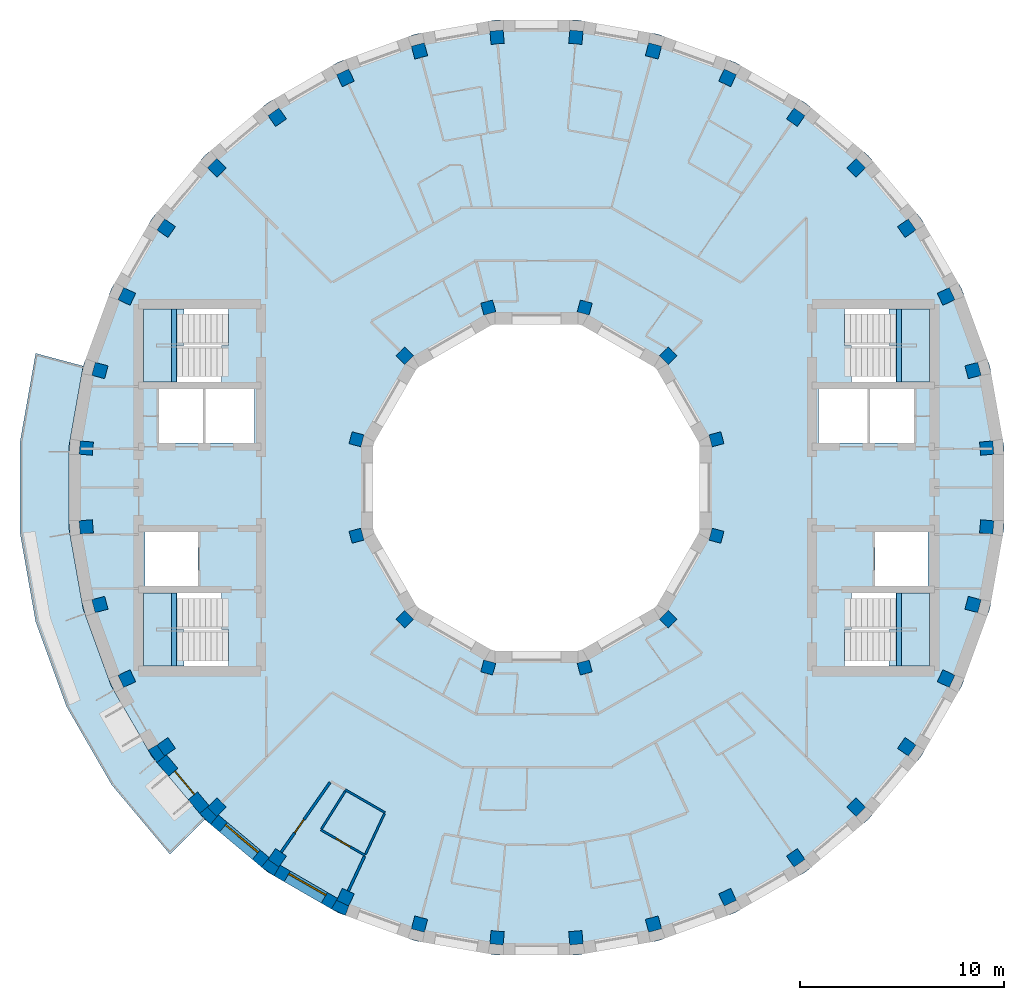
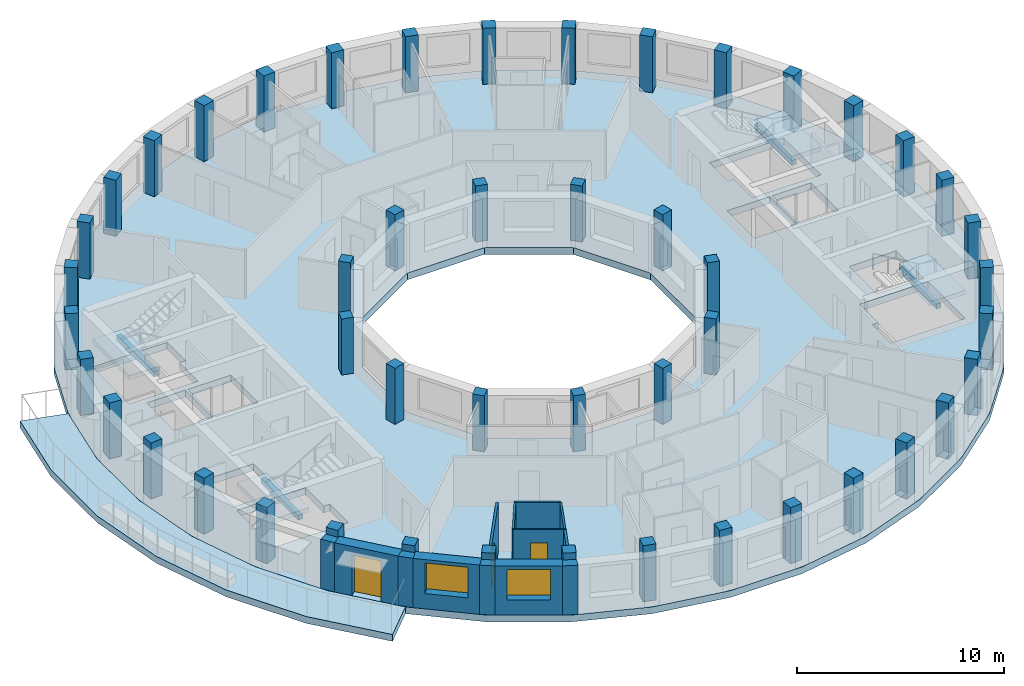
# One storey, part 1 of 10: 48 columns, 13 walls, 6 slabs, 4 beams, 3 doors, 2 windows, 5 openings, 4 elements without a shape of their own.
"""IFC4 building model written with IfcOpenShell, lengths in metres."""

from ifc_helpers import new_model, si_unit, direction, frame, frame_2d, origin, origin_2d, place, context, subcontext, project, spatial, polyline, rectangle, outline, extrude, material, layer, layer_set, material_profile, profile_set, type_object, element, fill, aggregate, save


model = new_model("IFC4")

# Units and contexts
model_context = context("Model", 3, precision=1e-05, world=origin(), true_north=direction((0.0, 1.0)))
body_context = subcontext(model_context, "Body", "Model", "MODEL_VIEW")
ifc_project = project(units=[si_unit("LENGTHUNIT", "METRE"), si_unit("AREAUNIT", "SQUARE_METRE"), si_unit("VOLUMEUNIT", "CUBIC_METRE"), si_unit("PLANEANGLEUNIT", "RADIAN"), si_unit("MASSUNIT", "GRAM", prefix="KILO")], contexts=[model_context])

# Site, building, storey
site_placement = place(None, origin())
site = spatial("IfcSite", under=ifc_project, at=site_placement, CompositionType="ELEMENT")
building_placement = place(site_placement, origin())
building = spatial("IfcBuilding", under=site, at=building_placement, Name="Saqina Gate Tower", CompositionType="ELEMENT")
storey_placement = place(building_placement, frame((0.0, 0.0, 252.800048828125)))
storey = spatial("IfcBuildingStorey", under=building, at=storey_placement, Name="L72", CompositionType="ELEMENT", Elevation=252.800048828125)

# Columns
ifc_material_1 = material(Name="Concrete C60/75", Category="concrete")
ifc_material_profile_1 = material_profile(ifc_material_1, rectangle(XDim=0.60009765625, YDim=0.60009765625, at=origin_2d()), Name="RC 600x600")
ifc_profile_set_1 = profile_set([ifc_material_profile_1], Name="Concrete C60/75")
column_type_1 = type_object("IfcColumnType", Name="STR-COL-IN-D", PredefinedType="COLUMN", material=ifc_profile_set_1)
for number, where, z_axis, x_axis, name in (
    (1, (8.821044921875, 2.363525390625, 0.0), (0.0, 0.0, 1.0), (0.965925826289, 0.258819045103, 0.0), "L72-ICL01"),
    (2, (6.45751953125, 6.45751953125, 0.0), (0.0, 0.0, 1.0), (0.707106781187, 0.707106781187, 0.0), "L72-ICL02"),
    (3, (2.363525390625, 8.821044921875, 0.0), (0.0, 0.0, 1.0), (0.258819045103, 0.965925826289, 0.0), "L72-ICL03"),
    (4, (-2.363525390625, 8.821044921875, 0.0), (0.0, 0.0, 1.0), (-0.258819045103, 0.965925826289, 0.0), "L72-ICL04"),
    (5, (-6.45751953125, 6.45751953125, 0.0), (0.0, 0.0, 1.0), (-0.707106781187, 0.707106781187, 0.0), "L72-ICL05"),
    (6, (-8.821044921875, 2.363525390625, 0.0), (0.0, 0.0, 1.0), (-0.965925826289, 0.258819045103, 0.0), "L72-ICL06"),
    (7, (-8.821044921875, -2.363525390625, 0.0), (0.0, 0.0, 1.0), (-0.965925826289, -0.258819045103, 0.0), "L72-ICL07"),
    (8, (-6.45751953125, -6.45751953125, 0.0), (0.0, 0.0, 1.0), (-0.707106781187, -0.707106781187, 0.0), "L72-ICL08"),
    (9, (-2.363525390625, -8.821044921875, 0.0), (0.0, 0.0, 1.0), (-0.258819045103, -0.965925826289, 0.0), "L72-ICL09"),
    (10, (2.363525390625, -8.821044921875, 0.0), (0.0, 0.0, 1.0), (0.258819045103, -0.965925826289, 0.0), "L72-ICL10"),
    (11, (6.45751953125, -6.45751953125, 0.0), (0.0, 0.0, 1.0), (0.707106781187, -0.707106781187, 0.0), "L72-ICL11"),
    (12, (8.821044921875, -2.363525390625, 0.0), (0.0, 0.0, 1.0), (0.965925826289, -0.258819045103, 0.0), "L72-ICL12"),
):
    element("IfcColumn", number, at=place(storey_placement, frame(where, z_axis=z_axis, x_axis=x_axis)), inside=storey, type_object=column_type_1, Name=name, PredefinedType="COLUMN", context=body_context, shape_type="SweptSolid", body=[
        extrude(rectangle(XDim=0.60009765625, YDim=0.60009765625, at=origin_2d()), origin(), (0.0, 0.0, 1.0), 3.300048828125),
    ])
ifc_material_2 = material(Name="Concrete C60/75", Category="concrete")
ifc_material_profile_2 = material_profile(ifc_material_2, rectangle(XDim=0.64990234375, YDim=0.64990234375, at=origin_2d()), Name="RC 650x650")
ifc_profile_set_2 = profile_set([ifc_material_profile_2], Name="Concrete C60/75")
column_type_2 = type_object("IfcColumnType", Name="STR-COL-OUT-D", PredefinedType="COLUMN", material=ifc_profile_set_2)
for number, where, z_axis, x_axis, name in (
    (13, (22.065673828125, 1.930419921875, 0.0), (0.0, 0.0, 1.0), (0.996194698092, 0.087155742748, 0.0), "L72-COL01"),
    (14, (21.395263671875, 5.73291015625, 0.0), (0.0, 0.0, 1.0), (0.965925826289, 0.258819045103, 0.0), "L72-COL02"),
    (15, (20.07470703125, 9.361083984375, 0.0), (0.0, 0.0, 1.0), (0.906307787037, 0.422618261741, 0.0), "L72-COL03"),
    (16, (18.144287109375, 12.704833984375, 0.0), (0.0, 0.0, 1.0), (0.819152044289, 0.573576436351, 0.0), "L72-COL04"),
    (17, (15.662353515625, 15.662353515625, 0.0), (0.0, 0.0, 1.0), (0.707106781187, 0.707106781187, 0.0), "L72-COL05"),
    (18, (12.704833984375, 18.144287109375, 0.0), (0.0, 0.0, 1.0), (0.573576436351, 0.819152044289, 0.0), "L72-COL06"),
    (19, (9.361083984375, 20.07470703125, 0.0), (0.0, 0.0, 1.0), (0.422618261741, 0.906307787037, 0.0), "L72-COL07"),
    (20, (5.73291015625, 21.395263671875, 0.0), (0.0, 0.0, 1.0), (0.258819045103, 0.965925826289, 0.0), "L72-COL08"),
    (21, (1.930419921875, 22.065673828125, 0.0), (0.0, 0.0, 1.0), (0.087155742748, 0.996194698092, 0.0), "L72-COL09"),
    (22, (-1.930419921875, 22.065673828125, 0.0), (0.0, 0.0, 1.0), (-0.087155742748, 0.996194698092, 0.0), "L72-COL10"),
    (23, (-5.73291015625, 21.395263671875, 0.0), (0.0, 0.0, 1.0), (-0.258819045103, 0.965925826289, 0.0), "L72-COL11"),
    (24, (-9.361083984375, 20.07470703125, 0.0), (0.0, 0.0, 1.0), (-0.422618261741, 0.906307787037, 0.0), "L72-COL12"),
    (25, (-12.704833984375, 18.144287109375, 0.0), (0.0, 0.0, 1.0), (-0.573576436351, 0.819152044289, 0.0), "L72-COL13"),
    (26, (-15.662353515625, 15.662353515625, 0.0), (0.0, 0.0, 1.0), (-0.707106781187, 0.707106781187, 0.0), "L72-COL14"),
    (27, (-18.144287109375, 12.704833984375, 0.0), (0.0, 0.0, 1.0), (-0.819152044289, 0.573576436351, 0.0), "L72-COL15"),
    (28, (-20.07470703125, 9.361083984375, 0.0), (0.0, 0.0, 1.0), (-0.906307787037, 0.422618261741, 0.0), "L72-COL16"),
    (29, (-21.395263671875, 5.73291015625, 0.0), (0.0, 0.0, 1.0), (-0.965925826289, 0.258819045103, 0.0), "L72-COL17"),
    (30, (-22.065673828125, 1.930419921875, 0.0), (0.0, 0.0, 1.0), (-0.996194698092, 0.087155742748, 0.0), "L72-COL18"),
    (31, (-22.065673828125, -1.930419921875, 0.0), (0.0, 0.0, 1.0), (-0.996194698092, -0.087155742748, 0.0), "L72-COL19"),
    (32, (-21.395263671875, -5.73291015625, 0.0), (0.0, 0.0, 1.0), (-0.965925826289, -0.258819045103, 0.0), "L72-COL20"),
    (33, (-20.07470703125, -9.361083984375, 0.0), (0.0, 0.0, 1.0), (-0.906307787037, -0.422618261741, 0.0), "L72-COL21"),
    (34, (-18.144287109375, -12.704833984375, 0.0), (0.0, 0.0, 1.0), (-0.819152044289, -0.573576436351, 0.0), "L72-COL22"),
    (35, (-15.662353515625, -15.662353515625, 0.0), (0.0, 0.0, 1.0), (-0.707106781187, -0.707106781187, 0.0), "L72-COL23"),
    (36, (-12.704833984375, -18.144287109375, 0.0), (0.0, 0.0, 1.0), (-0.573576436351, -0.819152044289, 0.0), "L72-COL24"),
    (37, (-9.361083984375, -20.07470703125, 0.0), (0.0, 0.0, 1.0), (-0.422618261741, -0.906307787037, 0.0), "L72-COL25"),
    (38, (-5.73291015625, -21.395263671875, 0.0), (0.0, 0.0, 1.0), (-0.258819045103, -0.965925826289, 0.0), "L72-COL26"),
    (39, (-1.930419921875, -22.065673828125, 0.0), (0.0, 0.0, 1.0), (-0.087155742748, -0.996194698092, 0.0), "L72-COL27"),
    (40, (1.930419921875, -22.065673828125, 0.0), (0.0, 0.0, 1.0), (0.087155742748, -0.996194698092, 0.0), "L72-COL28"),
    (41, (5.73291015625, -21.395263671875, 0.0), (0.0, 0.0, 1.0), (0.258819045103, -0.965925826289, 0.0), "L72-COL29"),
    (42, (9.361083984375, -20.07470703125, 0.0), (0.0, 0.0, 1.0), (0.422618261741, -0.906307787037, 0.0), "L72-COL30"),
    (43, (12.704833984375, -18.144287109375, 0.0), (0.0, 0.0, 1.0), (0.573576436351, -0.819152044289, 0.0), "L72-COL31"),
    (44, (15.662353515625, -15.662353515625, 0.0), (0.0, 0.0, 1.0), (0.707106781187, -0.707106781187, 0.0), "L72-COL32"),
    (45, (18.144287109375, -12.704833984375, 0.0), (0.0, 0.0, 1.0), (0.819152044289, -0.573576436351, 0.0), "L72-COL33"),
    (46, (20.07470703125, -9.361083984375, 0.0), (0.0, 0.0, 1.0), (0.906307787037, -0.422618261741, 0.0), "L72-COL34"),
    (47, (21.395263671875, -5.73291015625, 0.0), (0.0, 0.0, 1.0), (0.965925826289, -0.258819045103, 0.0), "L72-COL35"),
    (48, (22.065673828125, -1.930419921875, 0.0), (0.0, 0.0, 1.0), (0.996194698092, -0.087155742748, 0.0), "L72-COL36"),
):
    element("IfcColumn", number, at=place(storey_placement, frame(where, z_axis=z_axis, x_axis=x_axis)), inside=storey, type_object=column_type_2, Name=name, PredefinedType="COLUMN", context=body_context, shape_type="SweptSolid", body=[
        extrude(rectangle(XDim=0.64990234375, YDim=0.64990234375, at=origin_2d()), origin(), (0.0, 0.0, 1.0), 3.300048828125),
    ])

# Beams
ifc_material_3 = material(Name="Concrete C40/50", Category="concrete")
ifc_material_profile_3 = material_profile(ifc_material_3, rectangle(XDim=0.25, YDim=0.300048828125, at=origin_2d()), Name="STAIR LANDING BEAM")
ifc_profile_set_3 = profile_set([ifc_material_profile_3], Name="Concrete C40/50")
beam_type = type_object("IfcBeamType", Name="STAIR LANDING BEAM", PredefinedType="BEAM", material=ifc_profile_set_3)
for number, where, z_axis, x_axis, name in (
    (49, (17.77001953125, 5.175048828125, 1.25), (0.0, 1.0, 0.0), (-1.0, 0.0, 0.0), "EXIT STAIR 1 LANDING BEAM"),
    (50, (17.77001953125, -8.75, 1.25), (0.0, 1.0, 0.0), (-1.0, 0.0, 0.0), "EXIT STAIR 2 LANDING BEAM"),
    (51, (-17.77001953125, 5.175048828125, 1.25), (0.0, 1.0, 0.0), (-1.0, 0.0, 0.0), "EXIT STAIR 3 LANDING BEAM"),
    (52, (-17.77001953125, -8.75, 1.25), (0.0, 1.0, 0.0), (-1.0, 0.0, 0.0), "EXIT STAIR 4 LANDING BEAM"),
):
    element("IfcBeam", number, at=place(storey_placement, frame(where, z_axis=z_axis, x_axis=x_axis)), inside=storey, type_object=beam_type, Name=name, PredefinedType="BEAM", context=body_context, shape_type="SweptSolid", body=[
        extrude(rectangle(XDim=0.25, YDim=0.300048828125, at=origin_2d()), origin(), (0.0, 0.0, 1.0), 3.574951171875),
    ])

# Stair, slab
ifc_material_4 = material(Name="Concrete C40/50", Category="concrete")
stair_type = type_object("IfcStairType", Name="EXIT STAIR", PredefinedType="HALF_TURN_STAIR", material=ifc_material_4)
stair_1_placement = place(storey_placement, origin())
stair_1 = element("IfcStair", 53, at=stair_1_placement, inside=storey, type_object=stair_type, Name="EXIT STAIR 1", PredefinedType="HALF_TURN_STAIR")
ifc_material_5 = material(Name="Concrete C40/50", Category="concrete")
ifc_layer_1 = layer(ifc_material_5, 0.25)
ifc_layer_set_1 = layer_set([ifc_layer_1], Name="Concrete C40/50")
slab_type_1 = type_object("IfcSlabType", Name="EXIT STAIR LANDING", PredefinedType="LANDING", material=ifc_layer_set_1)
slab_1_placement = place(storey_placement, frame((0.0, 0.0, 1.39990234375)))
slab_1 = element("IfcSlab", 54, at=slab_1_placement, type_object=slab_type_1, Name="EXIT STAIR 1 LANDING 1", PredefinedType="LANDING", context=body_context, shape_type="SweptSolid", body=[
    extrude(outline(polyline([(19.25, 8.75), (19.25, 5.175048828125), (17.614990234375, 5.175048828125), (17.614990234375, 6.96240234375), (17.284423828125, 6.96240234375), (17.284423828125, 8.75), (17.614990234375, 8.75), (17.6201171875, 8.75), (19.25, 8.75)])), origin(), (0.0, 0.0, 1.0), 0.25),
])
aggregate(stair_1, [slab_1])

stair_2_placement = place(storey_placement, origin())
stair_2 = element("IfcStair", 55, at=stair_2_placement, inside=storey, type_object=stair_type, Name="EXIT STAIR 2", PredefinedType="HALF_TURN_STAIR")
slab_2_placement = place(storey_placement, frame((0.0, 0.0, 1.39990234375)))
slab_2 = element("IfcSlab", 56, at=slab_2_placement, type_object=slab_type_1, Name="EXIT STAIR 2 LANDING 1", PredefinedType="LANDING", context=body_context, shape_type="SweptSolid", body=[
    extrude(outline(polyline([(17.284423828125, -8.75), (17.284423828125, -6.96240234375), (17.614990234375, -6.96240234375), (17.614990234375, -5.175048828125), (19.25, -5.175048828125), (19.25, -8.75), (17.6201171875, -8.75), (17.614990234375, -8.75), (17.284423828125, -8.75)])), origin(), (0.0, 0.0, 1.0), 0.25),
])
aggregate(stair_2, [slab_2])

stair_3_placement = place(storey_placement, origin())
stair_3 = element("IfcStair", 57, at=stair_3_placement, inside=storey, type_object=stair_type, Name="EXIT STAIR 3", PredefinedType="HALF_TURN_STAIR")
slab_3_placement = place(storey_placement, frame((0.0, 0.0, 1.39990234375)))
slab_3 = element("IfcSlab", 58, at=slab_3_placement, type_object=slab_type_1, Name="EXIT STAIR 3 LANDING 1", PredefinedType="LANDING", context=body_context, shape_type="SweptSolid", body=[
    extrude(outline(polyline([(-17.614990234375, 5.175048828125), (-19.25, 5.175048828125), (-19.25, 8.75), (-17.6201171875, 8.75), (-17.614990234375, 8.75), (-17.284423828125, 8.75), (-17.284423828125, 6.96240234375), (-17.614990234375, 6.96240234375), (-17.614990234375, 5.175048828125)])), origin(), (0.0, 0.0, 1.0), 0.25),
])
aggregate(stair_3, [slab_3])

stair_4_placement = place(storey_placement, origin())
stair_4 = element("IfcStair", 59, at=stair_4_placement, inside=storey, type_object=stair_type, Name="EXIT STAIR 4", PredefinedType="HALF_TURN_STAIR")
slab_4_placement = place(storey_placement, frame((0.0, 0.0, 1.39990234375)))
slab_4 = element("IfcSlab", 60, at=slab_4_placement, type_object=slab_type_1, Name="EXIT STAIR 4 LANDING 1", PredefinedType="LANDING", context=body_context, shape_type="SweptSolid", body=[
    extrude(outline(polyline([(-17.284423828125, -6.96240234375), (-17.284423828125, -8.75), (-17.614990234375, -8.75), (-17.6201171875, -8.75), (-19.25, -8.75), (-19.25, -5.175048828125), (-17.614990234375, -5.175048828125), (-17.614990234375, -6.96240234375), (-17.284423828125, -6.96240234375)])), origin(), (0.0, 0.0, 1.0), 0.25),
])
aggregate(stair_4, [slab_4])

# Slabs
ifc_material_6 = material(Name="Concrete C40/50", Category="concrete")
ifc_layer_2 = layer(ifc_material_6, 0.39990234375)
ifc_layer_set_2 = layer_set([ifc_layer_2], Name="Concrete C40/50")
slab_type_2 = type_object("IfcSlabType", Name="STR-POST-TENSIONED FLAT PLATE FLOOR-400", PredefinedType="FLOOR", material=ifc_layer_set_2)
slab_5_placement = place(storey_placement, frame((0.0, 0.0, -0.400146484375)))
element("IfcSlab", 61, at=slab_5_placement, inside=storey, type_object=slab_type_2, Name="L72-SLB01", PredefinedType="FLOOR", context=body_context, shape_type="SweptSolid", body=[
    extrude(outline(polyline([(22.21630859375, -5.952880859375), (22.91259765625, -2.004638671875), (22.91259765625, 2.004638671875), (22.21630859375, 5.952880859375), (20.844970703125, 9.72021484375), (18.840576171875, 13.192138671875), (16.263427734375, 16.263427734375), (13.192138671875, 18.840576171875), (9.72021484375, 20.844970703125), (5.952880859375, 22.21630859375), (2.004638671875, 22.91259765625), (-2.004638671875, 22.91259765625), (-5.952880859375, 22.21630859375), (-9.72021484375, 20.844970703125), (-13.192138671875, 18.840576171875), (-16.263427734375, 16.263427734375), (-18.840576171875, 13.192138671875), (-20.844970703125, 9.72021484375), (-22.21630859375, 5.952880859375), (-22.91259765625, 2.004638671875), (-22.91259765625, -2.004638671875), (-22.21630859375, -5.952880859375), (-20.844970703125, -9.72021484375), (-18.840576171875, -13.192138671875), (-16.263427734375, -16.263427734375), (-13.192138671875, -18.840576171875), (-9.72021484375, -20.844970703125), (-5.952880859375, -22.21630859375), (-2.004638671875, -22.91259765625), (2.004638671875, -22.91259765625), (5.952880859375, -22.21630859375), (9.72021484375, -20.844970703125), (13.192138671875, -18.840576171875), (16.263427734375, -16.263427734375), (18.840576171875, -13.192138671875), (20.844970703125, -9.72021484375), (22.21630859375, -5.952880859375)]), holes=[polyline([(2.1435546875, 8.0), (5.8564453125, 5.8564453125), (8.0, 2.1435546875), (8.0, -2.1435546875), (5.8564453125, -5.8564453125), (2.1435546875, -8.0), (-2.1435546875, -8.0), (-5.8564453125, -5.8564453125), (-8.0, -2.1435546875), (-8.0, 2.1435546875), (-5.8564453125, 5.8564453125), (-2.1435546875, 8.0), (2.1435546875, 8.0)]), polyline([(-15.10498046875, -8.75), (-19.25, -8.75), (-19.25, -6.96240234375), (-19.25, -5.175048828125), (-15.435546875, -5.175048828125), (-15.435546875, -6.96240234375), (-15.10498046875, -6.96240234375), (-15.10498046875, -8.75)]), polyline([(-16.590087890625, -2.175048828125), (-16.590087890625, -4.824951171875), (-19.18994140625, -4.824951171875), (-19.18994140625, -2.175048828125), (-16.590087890625, -2.175048828125)]), polyline([(-16.340087890625, 4.824951171875), (-16.340087890625, 2.175048828125), (-18.5, 2.175048828125), (-18.5, 4.824951171875), (-16.340087890625, 4.824951171875)]), polyline([(-13.81005859375, 4.824951171875), (-13.81005859375, 2.175048828125), (-16.219970703125, 2.175048828125), (-16.219970703125, 4.824951171875), (-13.81005859375, 4.824951171875)]), polyline([(-19.25, 6.96240234375), (-19.25, 8.75), (-15.10498046875, 8.75), (-15.10498046875, 6.96240234375), (-15.435546875, 6.96240234375), (-15.435546875, 5.175048828125), (-19.25, 5.175048828125), (-19.25, 6.96240234375)]), polyline([(15.10498046875, -8.75), (15.10498046875, -6.96240234375), (15.435546875, -6.96240234375), (15.435546875, -5.175048828125), (19.25, -5.175048828125), (19.25, -6.96240234375), (19.25, -8.75), (15.10498046875, -8.75)]), polyline([(19.18994140625, -2.175048828125), (19.18994140625, -4.824951171875), (16.590087890625, -4.824951171875), (16.590087890625, -2.175048828125), (19.18994140625, -2.175048828125)]), polyline([(16.219970703125, 4.824951171875), (16.219970703125, 2.175048828125), (13.81005859375, 2.175048828125), (13.81005859375, 4.824951171875), (16.219970703125, 4.824951171875)]), polyline([(18.5, 4.824951171875), (18.5, 2.175048828125), (16.340087890625, 2.175048828125), (16.340087890625, 4.824951171875), (18.5, 4.824951171875)]), polyline([(15.435546875, 6.96240234375), (15.10498046875, 6.96240234375), (15.10498046875, 8.75), (19.25, 8.75), (19.25, 6.96240234375), (19.25, 5.175048828125), (15.435546875, 5.175048828125), (15.435546875, 6.96240234375)])]), origin(), (0.0, 0.0, 1.0), 0.400146484375),
])
ifc_material_7 = material(Name="Concrete C40/50", Category="concrete")
ifc_layer_3 = layer(ifc_material_7, 0.39990234375)
ifc_layer_set_3 = layer_set([ifc_layer_3], Name="Concrete C40/50")
slab_type_3 = type_object("IfcSlabType", Name="STR-POST-TENSIONED FLAT PLATE TERRACE-400", PredefinedType="FLOOR", material=ifc_layer_set_3)
slab_6_placement = place(storey_placement, frame((0.0, 0.0, -0.400146484375)))
element("IfcSlab", 62, at=slab_6_placement, inside=storey, type_object=slab_type_3, Name="L72-TRS01", PredefinedType="FLOOR", context=body_context, shape_type="SweptSolid", body=[
    extrude(outline(polyline([(-22.21630859375, 5.952880859375), (-22.91259765625, 2.004638671875), (-22.91259765625, -2.004638671875), (-22.21630859375, -5.952880859375), (-20.844970703125, -9.72021484375), (-18.840576171875, -13.192138671875), (-16.263427734375, -16.263427734375), (-17.967041015625, -17.967041015625), (-20.81396484375, -14.57421875), (-23.028564453125, -10.73828125), (-24.54345703125, -6.576416015625), (-25.3125, -2.214599609375), (-25.3125, 2.214599609375), (-24.54345703125, 6.576416015625), (-22.21630859375, 5.952880859375)])), origin(), (0.0, 0.0, 1.0), 0.400146484375),
])

# Walls
ifc_material_8 = material(Name="Brick masonry (buff)", Category="masonry")
wall_type_1 = type_object("IfcWallType", Name="BRICK PIER COPING BUFF", PredefinedType="SOLIDWALL", material=ifc_material_8)
wall_1_placement = place(storey_placement, origin())
element("IfcWall", 63, at=wall_1_placement, inside=storey, type_object=wall_type_1, Name="Pier cap L72 column 22", PredefinedType="SOLIDWALL", context=body_context, shape_type="SweptSolid", body=[
    extrude(outline(polyline([(-19.02978515625, -12.8642578125), (-18.59716796875, -13.482421875), (-18.137451171875, -13.0966796875), (-18.22412109375, -13.157470703125), (-18.596923828125, -12.625), (-18.51025390625, -12.564208984375), (-19.02978515625, -12.8642578125)])), origin(), (0.0, 0.0, 1.0), 2.89990234375),
])
wall_2_placement = place(storey_placement, origin())
element("IfcWall", 64, at=wall_2_placement, inside=storey, type_object=wall_type_1, Name="Pier cap L72 column 23", PredefinedType="SOLIDWALL", context=body_context, shape_type="SweptSolid", body=[
    extrude(outline(polyline([(-15.973388671875, -16.5068359375), (-15.587646484375, -16.04736328125), (-15.662353515625, -16.1220703125), (-16.1220703125, -15.662353515625), (-16.04736328125, -15.587646484375), (-16.5068359375, -15.973388671875), (-15.973388671875, -16.5068359375)])), origin(), (0.0, 0.0, 1.0), 2.89990234375),
])
wall_3_placement = place(storey_placement, origin())
element("IfcWall", 65, at=wall_3_placement, inside=storey, type_object=wall_type_1, Name="Pier cap L72 column 24", PredefinedType="SOLIDWALL", context=body_context, shape_type="SweptSolid", body=[
    extrude(outline(polyline([(-12.8642578125, -19.02978515625), (-12.564208984375, -18.51025390625), (-12.625, -18.596923828125), (-13.157470703125, -18.22412109375), (-13.0966796875, -18.137451171875), (-13.482421875, -18.59716796875), (-12.8642578125, -19.02978515625)])), origin(), (0.0, 0.0, 1.0), 2.89990234375),
])
wall_4_placement = place(storey_placement, origin())
element("IfcWall", 66, at=wall_4_placement, inside=storey, type_object=wall_type_1, Name="Pier cap L72 column 25", PredefinedType="SOLIDWALL", context=body_context, shape_type="SweptSolid", body=[
    extrude(outline(polyline([(-10.048095703125, -20.65576171875), (-9.3642578125, -20.974609375), (-9.1591796875, -20.410888671875), (-9.203857421875, -20.506591796875), (-9.79296875, -20.23193359375), (-9.748291015625, -20.135986328125), (-10.048095703125, -20.65576171875)])), origin(), (0.0, 0.0, 1.0), 2.89990234375),
])

# Wall, opening, door
ifc_material_9 = material(Name="Brick masonry (buff)", Category="masonry")
ifc_layer_4 = layer(ifc_material_9, 0.60009765625)
ifc_layer_set_4 = layer_set([ifc_layer_4], Name="FW-BRICK-BUFF")
wall_type_2 = type_object("IfcWallType", Name="FW-BRICK-BUFF", PredefinedType="SOLIDWALL", material=ifc_layer_set_4)
wall_5_placement = place(storey_placement, frame((-18.3671875, -13.28955078125, 0.0), z_axis=(0.0, 0.0, 1.0), x_axis=(0.64277291405, -0.766056773982, 0.0)))
wall_5 = element("IfcWall", 67, at=wall_5_placement, inside=storey, type_object=wall_type_2, Name="Facade wall L72 facet 22", PredefinedType="SOLIDWALL", context=body_context, shape_type="SweptSolid", body=[
    extrude(rectangle(XDim=3.251708984375, YDim=0.60009765625, at=frame_2d((1.6259765625, 0.0))), origin(), (0.0, 0.0, 1.0), 2.89990234375),
])
opening_1_placement = place(wall_5_placement, frame((0.875732421875, 0.0, 0.0)))
opening_1 = element("IfcOpeningElement", 68, at=opening_1_placement, cuts=wall_5, Name="Opening G21-D81", PredefinedType="OPENING", context=body_context, shape_type="SweptSolid", body=[
    extrude(rectangle(XDim=1.5, YDim=2.39990234375, at=frame_2d((0.75, 1.199951171875))), frame((0.0, 0.31201171875, 0.0), z_axis=(0.0, -1.0, 0.0), x_axis=(1.0, 0.0, 0.0)), (0.0, 0.0, 1.0), 0.6240234375),
])
ifc_material_10 = material(Name="Aluminium glazing", Category="aluminium")
door_type_1 = type_object("IfcDoorType", Name="GD-D", OperationType="DOUBLE_DOOR_SINGLE_SWING", PredefinedType="DOOR", material=ifc_material_10)
door_1_placement = place(opening_1_placement, frame((1.5, 0.0, 0.0), z_axis=(0.0, 0.0, 1.0), x_axis=(-1.0, 0.0, 0.0)))
door_1 = element("IfcDoor", 69, at=door_1_placement, inside=storey, type_object=door_type_1, Name="Terrace door L72 facet 22", OperationType="DOUBLE_DOOR_SINGLE_SWING", OverallHeight=2.39990234375, OverallWidth=1.5, PredefinedType="DOOR", context=body_context, shape_type="SweptSolid", body=[
    extrude(rectangle(XDim=1.5, YDim=2.39990234375, at=frame_2d((0.75, 1.199951171875))), frame((0.0, -0.0751953125, 0.0), z_axis=(0.0, -1.0, 0.0), x_axis=(1.0, 0.0, 0.0)), (0.0, 0.0, 1.0), 0.050048828125),
])
fill(opening_1, door_1)

# Wall, opening, window
wall_6_placement = place(storey_placement, frame((-15.780517578125, -16.277099609375, 0.0), z_axis=(0.0, 0.0, 1.0), x_axis=(0.766056773982, -0.64277291405, 0.0)))
wall_6 = element("IfcWall", 70, at=wall_6_placement, inside=storey, type_object=wall_type_2, Name="Facade wall L72 facet 23", PredefinedType="SOLIDWALL", context=body_context, shape_type="SweptSolid", body=[
    extrude(rectangle(XDim=3.251708984375, YDim=0.60009765625, at=frame_2d((1.6259765625, 0.0))), origin(), (0.0, 0.0, 1.0), 2.89990234375),
])
opening_2_placement = place(wall_6_placement, frame((0.57568359375, 0.0, 0.89990234375)))
opening_2 = element("IfcOpeningElement", 71, at=opening_2_placement, cuts=wall_6, Name="Opening G21-W14", PredefinedType="OPENING", context=body_context, shape_type="SweptSolid", body=[
    extrude(rectangle(XDim=2.10009765625, YDim=1.800048828125, at=frame_2d((1.050048828125, 0.89990234375))), frame((0.0, 0.31201171875, 0.0), z_axis=(0.0, -1.0, 0.0), x_axis=(1.0, 0.0, 0.0)), (0.0, 0.0, 1.0), 0.6240234375),
])
ifc_material_11 = material(Name="Aluminium glazing", Category="aluminium")
window_type = type_object("IfcWindowType", Name="WN-D", PartitioningType="SINGLE_PANEL", PredefinedType="WINDOW", material=ifc_material_11)
window_1_placement = place(opening_2_placement, origin())
window_1 = element("IfcWindow", 72, at=window_1_placement, inside=storey, type_object=window_type, Name="Window L72 facet 23", OverallHeight=1.800048828125, OverallWidth=2.10009765625, PartitioningType="SINGLE_PANEL", PredefinedType="WINDOW", context=body_context, shape_type="SweptSolid", body=[
    extrude(rectangle(XDim=2.10009765625, YDim=1.800048828125, at=frame_2d((1.050048828125, 0.89990234375))), frame((0.0, 0.179931640625, 0.0), z_axis=(0.0, -1.0, 0.0), x_axis=(1.0, 0.0, 0.0)), (0.0, 0.0, 1.0), 0.06005859375),
])
fill(opening_2, window_1)

wall_7_placement = place(storey_placement, frame((-12.71435546875, -18.77001953125, 0.0), z_axis=(0.0, 0.0, 1.0), x_axis=(0.866016800201, -0.500014901547, 0.0)))
wall_7 = element("IfcWall", 73, at=wall_7_placement, inside=storey, type_object=wall_type_2, Name="Facade wall L72 facet 24", PredefinedType="SOLIDWALL", context=body_context, shape_type="SweptSolid", body=[
    extrude(rectangle(XDim=3.251953125, YDim=0.60009765625, at=frame_2d((1.6259765625, 0.0))), origin(), (0.0, 0.0, 1.0), 2.89990234375),
])
opening_3_placement = place(wall_7_placement, frame((0.57568359375, 0.0, 0.89990234375)))
opening_3 = element("IfcOpeningElement", 74, at=opening_3_placement, cuts=wall_7, Name="Opening G21-W15", PredefinedType="OPENING", context=body_context, shape_type="SweptSolid", body=[
    extrude(rectangle(XDim=2.10009765625, YDim=1.800048828125, at=frame_2d((1.050048828125, 0.89990234375))), frame((0.0, 0.31201171875, 0.0), z_axis=(0.0, -1.0, 0.0), x_axis=(1.0, 0.0, 0.0)), (0.0, 0.0, 1.0), 0.6240234375),
])
window_2_placement = place(opening_3_placement, origin())
window_2 = element("IfcWindow", 75, at=window_2_placement, inside=storey, type_object=window_type, Name="Window L72 facet 24", OverallHeight=1.800048828125, OverallWidth=2.10009765625, PartitioningType="SINGLE_PANEL", PredefinedType="WINDOW", context=body_context, shape_type="SweptSolid", body=[
    extrude(rectangle(XDim=2.10009765625, YDim=1.800048828125, at=frame_2d((1.050048828125, 0.89990234375))), frame((0.0, 0.179931640625, 0.0), z_axis=(0.0, -1.0, 0.0), x_axis=(1.0, 0.0, 0.0)), (0.0, 0.0, 1.0), 0.06005859375),
])
fill(opening_3, window_2)

# Wall, opening, door
ifc_material_12 = material(Name="Gypsum board on steel studs, 100 mm", Category="steel")
ifc_layer_5 = layer(ifc_material_12, 0.10009765625)
ifc_layer_set_5 = layer_set([ifc_layer_5], Name="PARTITION 100")
wall_type_3 = type_object("IfcWallType", Name="PARTITION 100", PredefinedType="PARTITIONING", material=ifc_layer_set_5)
wall_8_placement = place(storey_placement, frame((-10.56494140625, -16.778076171875, 0.0), z_axis=(0.0, 0.0, 1.0), x_axis=(0.866060068719, -0.499939953764, 0.0)))
wall_8 = element("IfcWall", 76, at=wall_8_placement, inside=storey, type_object=wall_type_3, Name="PARTITION PW3-14", PredefinedType="PARTITIONING", context=body_context, shape_type="SweptSolid", body=[
    extrude(rectangle(XDim=2.493896484375, YDim=0.10009765625, at=frame_2d((1.2470703125, 0.0))), origin(), (0.0, 0.0, 1.0), 2.89990234375),
])
opening_4_placement = place(wall_8_placement, frame((0.84716796875, 0.0, 0.0)))
opening_4 = element("IfcOpeningElement", 77, at=opening_4_placement, cuts=wall_8, Name="Opening G21-D27", PredefinedType="OPENING", context=body_context, shape_type="SweptSolid", body=[
    extrude(rectangle(XDim=0.800048828125, YDim=2.10009765625, at=frame_2d((0.39990234375, 1.050048828125))), frame((0.0, 0.06201171875, 0.0), z_axis=(0.0, -1.0, 0.0), x_axis=(1.0, 0.0, 0.0)), (0.0, 0.0, 1.0), 0.1240234375),
])
ifc_material_13 = material(Name="Timber door leaf, 800 mm", Category="wood")
door_type_2 = type_object("IfcDoorType", Name="DOOR 800 TIMBER", OperationType="SINGLE_SWING_LEFT", PredefinedType="DOOR", material=ifc_material_13)
door_2_placement = place(opening_4_placement, frame((0.800048828125, 0.0, 0.0), z_axis=(0.0, 0.0, 1.0), x_axis=(-1.0, 0.0, 0.0)))
door_2 = element("IfcDoor", 78, at=door_2_placement, inside=storey, type_object=door_type_2, Name="DOOR G21-D27", OperationType="SINGLE_SWING_LEFT", OverallHeight=2.10009765625, OverallWidth=0.800048828125, PredefinedType="DOOR", context=body_context, shape_type="SweptSolid", body=[
    extrude(rectangle(XDim=0.800048828125, YDim=2.10009765625, at=frame_2d((0.39990234375, 1.050048828125))), frame((0.0, 0.02490234375, 0.0), z_axis=(0.0, -1.0, 0.0), x_axis=(1.0, 0.0, 0.0)), (0.0, 0.0, 1.0), 0.050048828125),
])
fill(opening_4, door_2)

# Walls
wall_9_placement = place(storey_placement, frame((-9.38134765625, -14.804931640625, 0.0), z_axis=(0.0, 0.0, 1.0), x_axis=(0.866061092166, -0.499938180815, 0.0)))
element("IfcWall", 79, at=wall_9_placement, inside=storey, type_object=wall_type_3, Name="PARTITION PW3-15", PredefinedType="PARTITIONING", context=body_context, shape_type="SweptSolid", body=[
    extrude(rectangle(XDim=2.253173828125, YDim=0.10009765625, at=frame_2d((1.12646484375, 0.0))), origin(), (0.0, 0.0, 1.0), 2.89990234375),
])
wall_10_placement = place(storey_placement, frame((-10.538330078125, -16.735595703125, 0.0), z_axis=(0.0, 0.0, 1.0), x_axis=(0.532952249521, 0.846145318329, 0.0)))
element("IfcWall", 80, at=wall_10_placement, inside=storey, type_object=wall_type_3, Name="PARTITION PW3-38", PredefinedType="PARTITIONING", context=body_context, shape_type="SweptSolid", body=[
    extrude(rectangle(XDim=2.189697265625, YDim=0.10009765625, at=frame_2d((1.0947265625, 0.0))), origin(), (0.0, 0.0, 1.0), 2.89990234375),
])
wall_11_placement = place(storey_placement, frame((-8.378662109375, -17.96826171875, 0.0), z_axis=(0.0, 0.0, 1.0), x_axis=(0.423001064323, 0.90612918482, 0.0)))
element("IfcWall", 81, at=wall_11_placement, inside=storey, type_object=wall_type_3, Name="PARTITION PW3-40", PredefinedType="PARTITIONING", context=body_context, shape_type="SweptSolid", body=[
    extrude(rectangle(XDim=2.19677734375, YDim=0.10009765625, at=frame_2d((1.098388671875, 0.0))), origin(), (0.0, 0.0, 1.0), 2.89990234375),
])

# Wall, opening, door
ifc_material_14 = material(Name="Gypsum board on steel studs, 125 mm, fire rated", Category="steel")
ifc_layer_6 = layer(ifc_material_14, 0.125)
ifc_layer_set_6 = layer_set([ifc_layer_6], Name="PARTITION EI 30 125")
wall_type_4 = type_object("IfcWallType", Name="PARTITION EI 30 125", PredefinedType="PARTITIONING", material=ifc_layer_set_6)
wall_12_placement = place(storey_placement, frame((-12.5126953125, -17.869873046875, 0.0), z_axis=(0.0, 0.0, 1.0), x_axis=(0.573815640039, 0.818984500004, 0.0)))
wall_12 = element("IfcWall", 82, at=wall_12_placement, inside=storey, type_object=wall_type_4, Name="PARTITION PW1-31", PredefinedType="PARTITIONING", context=body_context, shape_type="SweptSolid", body=[
    extrude(rectangle(XDim=4.17333984375, YDim=0.125, at=frame_2d((2.086669921875, 0.0))), origin(), (0.0, 0.0, 1.0), 2.89990234375),
])
opening_5_placement = place(wall_12_placement, frame((1.1455078125, 0.0, 0.0)))
opening_5 = element("IfcOpeningElement", 83, at=opening_5_placement, cuts=wall_12, Name="Opening G21-D24", PredefinedType="OPENING", context=body_context, shape_type="SweptSolid", body=[
    extrude(rectangle(XDim=0.800048828125, YDim=2.10009765625, at=frame_2d((0.39990234375, 1.050048828125))), frame((0.0, 0.074462890625, 0.0), z_axis=(0.0, -1.0, 0.0), x_axis=(1.0, 0.0, 0.0)), (0.0, 0.0, 1.0), 0.14892578125),
])
ifc_material_15 = material(Name="Fire door leaf EI 30, 800 mm")
door_type_3 = type_object("IfcDoorType", Name="DOOR 800 EI 30", OperationType="SINGLE_SWING_LEFT", PredefinedType="DOOR", material=ifc_material_15)
door_3_placement = place(opening_5_placement, origin())
door_3 = element("IfcDoor", 84, at=door_3_placement, inside=storey, type_object=door_type_3, Name="DOOR G21-D24", OperationType="SINGLE_SWING_LEFT", OverallHeight=2.10009765625, OverallWidth=0.800048828125, PredefinedType="DOOR", context=body_context, shape_type="SweptSolid", body=[
    extrude(rectangle(XDim=0.800048828125, YDim=2.10009765625, at=frame_2d((0.39990234375, 1.050048828125))), frame((0.0, 0.02490234375, 0.0), z_axis=(0.0, -1.0, 0.0), x_axis=(1.0, 0.0, 0.0)), (0.0, 0.0, 1.0), 0.050048828125),
])
fill(opening_5, door_3)

# Wall
wall_13_placement = place(storey_placement, frame((-9.220947265625, -19.7705078125, 0.0), z_axis=(0.0, 0.0, 1.0), x_axis=(0.423433748068, 0.905927072671, 0.0)))
element("IfcWall", 85, at=wall_13_placement, inside=storey, type_object=wall_type_4, Name="PARTITION PW1-33", PredefinedType="PARTITIONING", context=body_context, shape_type="SweptSolid", body=[
    extrude(rectangle(XDim=1.876708984375, YDim=0.125, at=frame_2d((0.9384765625, 0.0))), origin(), (0.0, 0.0, 1.0), 2.89990234375),
])

save(model, "model.ifc")
